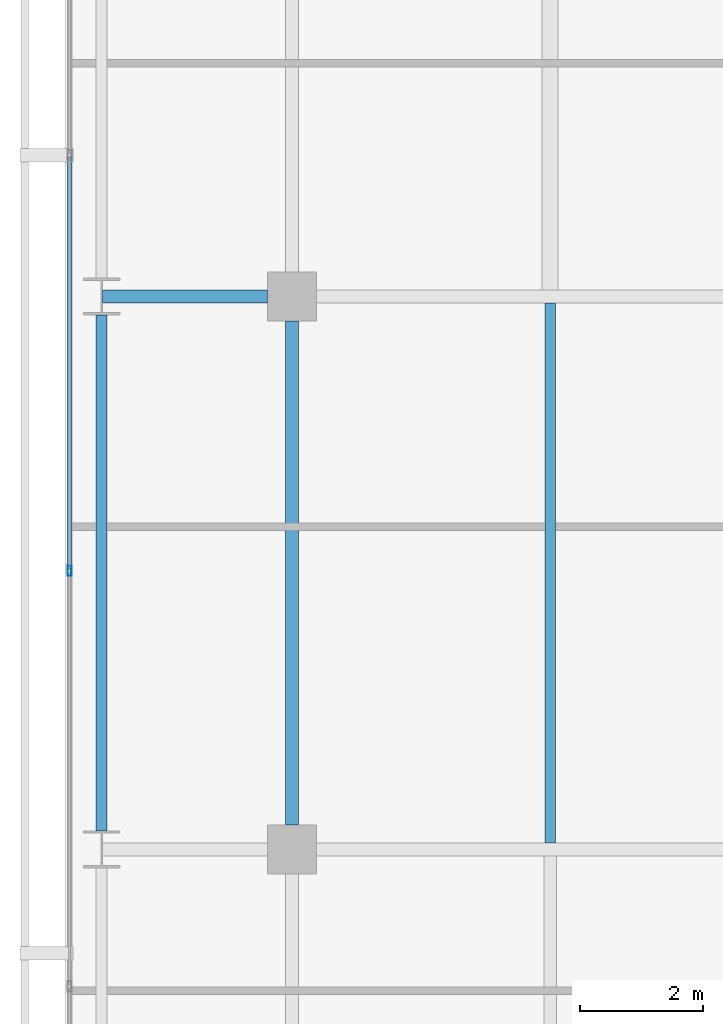
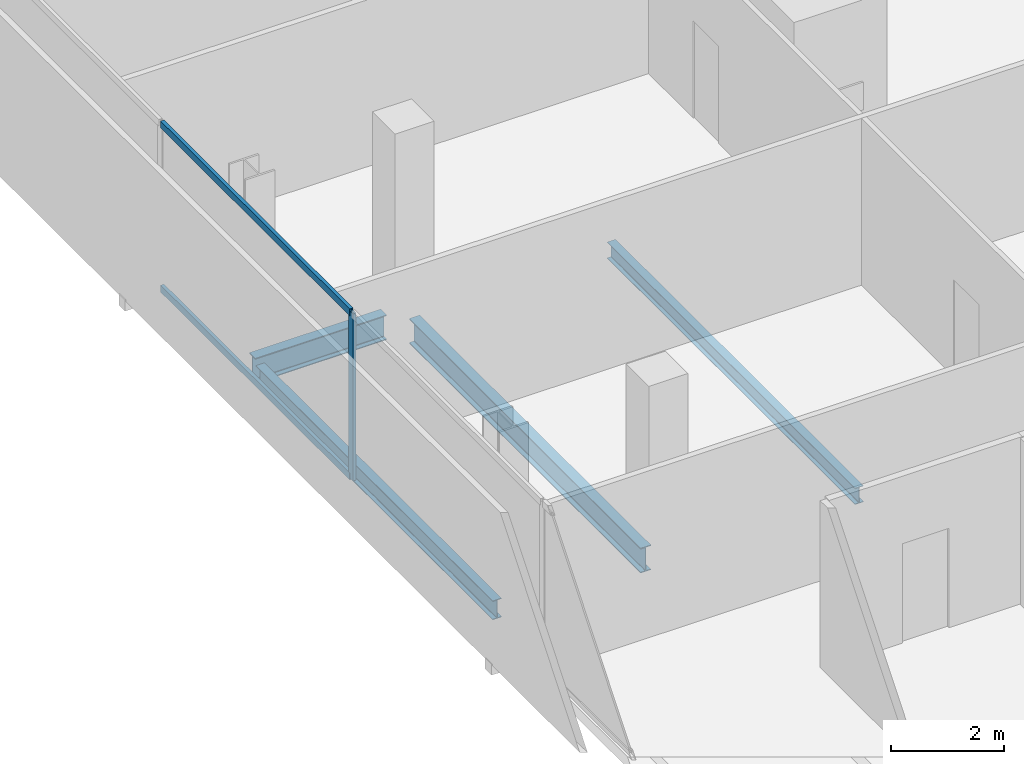
# One storey, part 8 of 33: 4 beams, 3 members, 1 element without a shape of its own.
"""IFC4 building model written with IfcOpenShell, lengths in metres."""

from ifc_helpers import new_model, si_unit, direction, frame, origin, origin_2d, place, context, subcontext, project, spatial, hollow_rectangle, i_section, extrude, material, layer, layer_set, material_profile, profile_set, type_object, element, aggregate, save


model = new_model("IFC4")

# Units and contexts
model_context = context("Model", 3, precision=1e-05, world=origin(), true_north=direction((0.0, 1.0)))
body_context = subcontext(model_context, "Body", "Model", "MODEL_VIEW")
ifc_project = project(units=[si_unit("LENGTHUNIT", "METRE"), si_unit("AREAUNIT", "SQUARE_METRE"), si_unit("VOLUMEUNIT", "CUBIC_METRE"), si_unit("PLANEANGLEUNIT", "RADIAN"), si_unit("MASSUNIT", "GRAM", prefix="KILO")], contexts=[model_context])

# Site, building, storey
site_placement = place(None, origin())
site = spatial("IfcSite", under=ifc_project, at=site_placement, CompositionType="ELEMENT")
building_placement = place(site_placement, origin())
building = spatial("IfcBuilding", under=site, at=building_placement, Name="Maruvema Waterfront Hotel and Observation Tower", CompositionType="ELEMENT")
storey_placement = place(building_placement, frame((0.0, 0.0, 204.39990234375)))
storey = spatial("IfcBuildingStorey", under=building, at=storey_placement, Name="L50", CompositionType="ELEMENT", Elevation=204.39990234375)

# Curtain wall, members
ifc_material_1 = material(Name="Anodised bronze aluminium and solar-control low-E IGU", Category="aluminium")
ifc_layer = layer(ifc_material_1, 0.159912109375, Name="Zone 2 Amber Inner Thermal Curtain Wall System CW-03")
ifc_layer_set = layer_set([ifc_layer], Name="Anodised bronze aluminium and solar-control low-E IGU")
curtain_wall_type = type_object("IfcCurtainWallType", Name="Zone 2 Amber Inner Thermal Curtain Wall System CW-03", PredefinedType="USERDEFINED", material=ifc_layer_set)
curtain_wall_placement = place(storey_placement, origin())
curtain_wall = element("IfcCurtainWall", 1, at=curtain_wall_placement, inside=storey, type_object=curtain_wall_type, Name="L50 Curtain Wall CW-L50-W", ObjectType="UNITISED CURTAIN WALL", PredefinedType="USERDEFINED")
ifc_material_2 = material(Name="Anodised architectural bronze aluminium", Category="aluminium")
ifc_material_profile_1 = material_profile(ifc_material_2, hollow_rectangle(XDim=0.070068359375, YDim=0.14990234375, WallThickness=0.00390625, at=origin_2d()), Name="ALU-T70x150")
ifc_profile_set_1 = profile_set([ifc_material_profile_1], Name="Anodised architectural bronze aluminium")
member_type_1 = type_object("IfcMemberType", Name="Curtain Wall Horizontal Transom ALU-T70x150", PredefinedType="USERDEFINED", material=ifc_profile_set_1)
member_1_placement = place(storey_placement, frame((13.179931640625, 29.27001953125, 0.030029296875), z_axis=(0.0, -1.0, 0.0), x_axis=(1.0, 0.0, 0.0)))
member_1 = element("IfcMember", 2, at=member_1_placement, type_object=member_type_1, Name="CW-03 transom 4.1", ObjectType="TRANSOM", PredefinedType="USERDEFINED", context=body_context, shape_type="SweptSolid", body=[
    extrude(hollow_rectangle(XDim=0.070068359375, YDim=0.14990234375, WallThickness=0.00390625, at=origin_2d()), origin(), (0.0, 0.0, 1.0), 6.706787109375),
])
member_2_placement = place(storey_placement, frame((13.179931640625, 29.27001953125, 3.580078125), z_axis=(0.0, -1.0, 0.0), x_axis=(1.0, 0.0, 0.0)))
member_2 = element("IfcMember", 3, at=member_2_placement, type_object=member_type_1, Name="CW-03 transom 4.2", ObjectType="TRANSOM", PredefinedType="USERDEFINED", context=body_context, shape_type="SweptSolid", body=[
    extrude(hollow_rectangle(XDim=0.070068359375, YDim=0.14990234375, WallThickness=0.00390625, at=origin_2d()), origin(), (0.0, 0.0, 1.0), 6.706787109375),
])
ifc_material_3 = material(Name="Anodised architectural bronze aluminium", Category="aluminium")
ifc_material_profile_2 = material_profile(ifc_material_3, hollow_rectangle(XDim=0.06494140625, YDim=0.1650390625, WallThickness=0.00390625, at=origin_2d()), Name="ALU-M65x165")
ifc_profile_set_2 = profile_set([ifc_material_profile_2], Name="Anodised architectural bronze aluminium")
member_type_2 = type_object("IfcMemberType", Name="Curtain Wall Primary Mullion ALU-M65x165", PredefinedType="MULLION", material=ifc_profile_set_2)
member_3_placement = place(storey_placement, frame((13.179931640625, 22.533447265625, 0.0), z_axis=(0.0, 0.0, 1.0), x_axis=(1.0, 0.0, 0.0)))
member_3 = element("IfcMember", 4, at=member_3_placement, type_object=member_type_2, Name="CW-03 mullion 5", PredefinedType="MULLION", context=body_context, shape_type="SweptSolid", body=[
    extrude(hollow_rectangle(XDim=0.06494140625, YDim=0.1650390625, WallThickness=0.00390625, at=origin_2d()), origin(), (0.0, 0.0, 1.0), 3.610107421875),
])
aggregate(curtain_wall, [member_3, member_1, member_2])

# Beams
ifc_material_4 = material(Name="Steel ASTM A572 Grade 50", Category="steel")
ifc_material_profile_3 = material_profile(ifc_material_4, i_section(OverallWidth=0.178955078125, OverallDepth=0.409912109375, WebThickness=0.0087890625, FlangeThickness=0.014404296875, FilletRadius=0.014892578125, at=origin_2d()), Name="W410x67.0")
ifc_profile_set_3 = profile_set([ifc_material_profile_3], Name="Steel ASTM A572 Grade 50")
beam_type_1 = type_object("IfcBeamType", Name="Perimeter Spandrel Beam W410x67.0", PredefinedType="SPANDREL", material=ifc_profile_set_3)
beam_1_placement = place(storey_placement, frame((13.699951171875, 18.300048828125, -0.44482421875), z_axis=(0.0, 1.0, 0.0), x_axis=(-1.0, 0.0, 0.0)))
element("IfcBeam", 5, at=beam_1_placement, inside=storey, type_object=beam_type_1, Name="L50 Floor Girder NS-02", PredefinedType="SPANDREL", context=body_context, shape_type="SweptSolid", body=[
    extrude(i_section(OverallWidth=0.178955078125, OverallDepth=0.409912109375, WebThickness=0.0087890625, FlangeThickness=0.014404296875, FilletRadius=0.014892578125, at=origin_2d()), origin(), (0.0, 0.0, 1.0), 8.39990234375),
])
ifc_material_5 = material(Name="Steel ASTM A572 Grade 50", Category="steel")
ifc_material_profile_4 = material_profile(ifc_material_5, i_section(OverallWidth=0.2109375, OverallDepth=0.5390625, WebThickness=0.01171875, FlangeThickness=0.018798828125, FilletRadius=0.014892578125, at=origin_2d()), Name="W530x109.0")
ifc_profile_set_4 = profile_set([ifc_material_profile_4], Name="Steel ASTM A572 Grade 50")
beam_type_2 = type_object("IfcBeamType", Name="Primary Floor Girder W530x109.0", PredefinedType="BEAM", material=ifc_profile_set_4)
beam_2_placement = place(storey_placement, frame((13.71240234375, 27.0, -0.509521484375), z_axis=(1.0, 0.0, 0.0), x_axis=(0.0, 1.0, 0.0)))
element("IfcBeam", 6, at=beam_2_placement, inside=storey, type_object=beam_type_2, Name="L50 Floor Girder EW-18", PredefinedType="BEAM", context=body_context, shape_type="SweptSolid", body=[
    extrude(i_section(OverallWidth=0.2109375, OverallDepth=0.5390625, WebThickness=0.01171875, FlangeThickness=0.018798828125, FilletRadius=0.014892578125, at=origin_2d()), origin(), (0.0, 0.0, 1.0), 2.6875),
])
beam_3_placement = place(storey_placement, frame((16.800048828125, 18.39990234375, -0.509521484375), z_axis=(0.0, 1.0, 0.0), x_axis=(-1.0, 0.0, 0.0)))
element("IfcBeam", 7, at=beam_3_placement, inside=storey, type_object=beam_type_2, Name="L50 Floor Girder NS-06", PredefinedType="BEAM", context=body_context, shape_type="SweptSolid", body=[
    extrude(i_section(OverallWidth=0.2109375, OverallDepth=0.5390625, WebThickness=0.01171875, FlangeThickness=0.018798828125, FilletRadius=0.014892578125, at=origin_2d()), origin(), (0.0, 0.0, 1.0), 8.2001953125),
])
ifc_material_6 = material(Name="Steel ASTM A572 Grade 50", Category="steel")
ifc_material_profile_5 = material_profile(ifc_material_6, i_section(OverallWidth=0.1708984375, OverallDepth=0.35498046875, WebThickness=0.007080078125, FlangeThickness=0.01171875, FilletRadius=0.014892578125, at=origin_2d()), Name="W360x51.0")
ifc_profile_set_5 = profile_set([ifc_material_profile_5], Name="Steel ASTM A572 Grade 50")
beam_type_3 = type_object("IfcBeamType", Name="Secondary Floor Joist W360x51.0", PredefinedType="JOIST", material=ifc_profile_set_5)
beam_4_placement = place(storey_placement, frame((21.0, 18.10546875, -0.41748046875), z_axis=(0.0, 1.0, 0.0), x_axis=(-1.0, 0.0, 0.0)))
element("IfcBeam", 8, at=beam_4_placement, inside=storey, type_object=beam_type_3, Name="L50 Secondary Floor Joist JS-02", PredefinedType="JOIST", context=body_context, shape_type="SweptSolid", body=[
    extrude(i_section(OverallWidth=0.1708984375, OverallDepth=0.35498046875, WebThickness=0.007080078125, FlangeThickness=0.01171875, FilletRadius=0.014892578125, at=origin_2d()), origin(), (0.0, 0.0, 1.0), 8.7890625),
])

save(model, "model.ifc")
